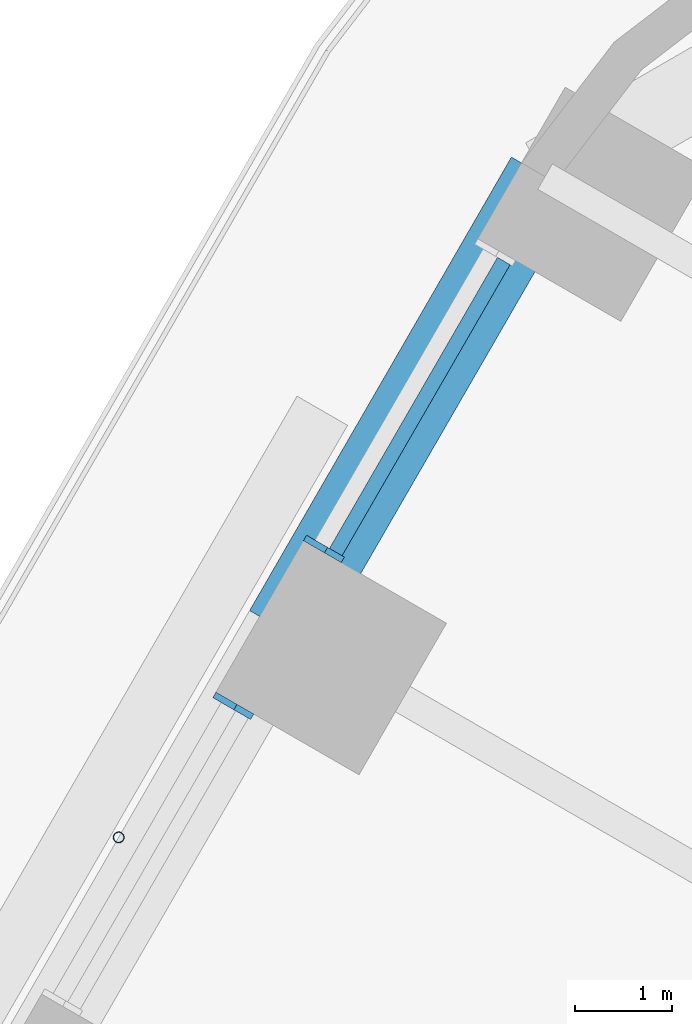
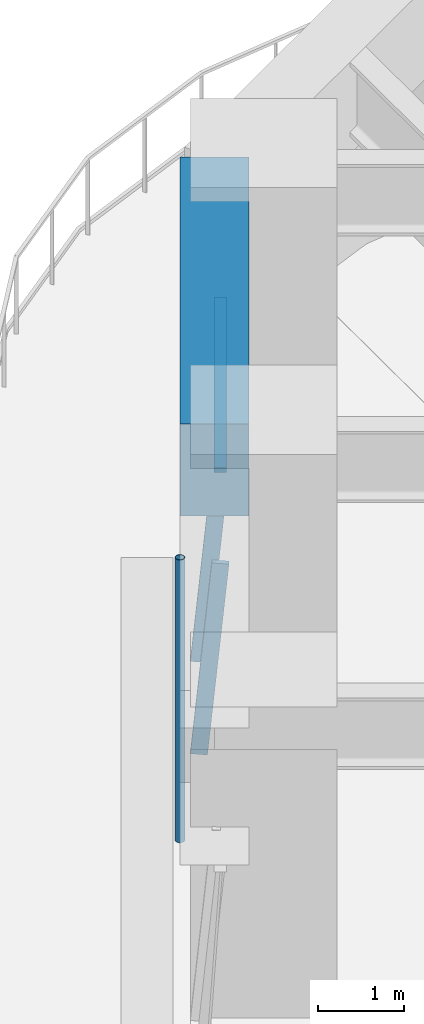
# One storey, part 9 of 23: 4 members, 1 beam, 2 elements without a shape of their own.
"""IFC4 building model written with IfcOpenShell, lengths in metres."""

from ifc_helpers import new_model, si_unit, direction, frame, origin, origin_2d, place, context, subcontext, project, spatial, rectangle, hollow_circle, extrude, material, material_profile, profile_set, type_object, element, aggregate, save


model = new_model("IFC4")

# Units and contexts
model_context = context("Model", 3, precision=1e-05, world=origin(), true_north=direction((0.0, 1.0)))
body_context = subcontext(model_context, "Body", "Model", "MODEL_VIEW")
ifc_project = project(units=[si_unit("LENGTHUNIT", "METRE"), si_unit("AREAUNIT", "SQUARE_METRE"), si_unit("VOLUMEUNIT", "CUBIC_METRE"), si_unit("PLANEANGLEUNIT", "RADIAN"), si_unit("MASSUNIT", "GRAM", prefix="KILO")], contexts=[model_context])

# Site, building, storey
site_placement = place(None, origin())
site = spatial("IfcSite", under=ifc_project, at=site_placement, CompositionType="ELEMENT")
building_placement = place(site_placement, origin())
building = spatial("IfcBuilding", under=site, at=building_placement, Name="Tarfa Lantern Tower", CompositionType="ELEMENT")
storey_placement = place(building_placement, frame((0.0, 0.0, 86.5)))
storey = spatial("IfcBuildingStorey", under=building, at=storey_placement, Name="L19", CompositionType="ELEMENT", Elevation=86.5)

# Curtain wall, member
ifc_material_1 = material(Name="Aluminium framed curtain wall", Category="aluminium")
curtain_wall_type = type_object("IfcCurtainWallType", Name="CW1 CANTED GLAZING LOW ZONE 2700", PredefinedType="USERDEFINED", material=ifc_material_1)
curtain_wall_1_placement = place(storey_placement, origin())
curtain_wall_1 = element("IfcCurtainWall", 1, at=curtain_wall_1_placement, inside=storey, type_object=curtain_wall_type, Name="CW1 NW L19", ObjectType="CURTAIN WALL", PredefinedType="USERDEFINED")
ifc_material_2 = material(Name="Aluminium mullion", Category="aluminium")
ifc_material_profile_1 = material_profile(ifc_material_2, rectangle(XDim=0.06494140625, YDim=0.199951171875, at=origin_2d()), Name="AL MULLION 65x200")
ifc_profile_set_1 = profile_set([ifc_material_profile_1], Name="Aluminium mullion")
member_type_1 = type_object("IfcMemberType", Name="CWM1 MULLION 65x200", PredefinedType="MULLION", material=ifc_profile_set_1)
member_1_placement = place(storey_placement, frame((-23.50341796875, 27.0908203125, 0.0), z_axis=(0.07986442134, -0.046099868913, 0.99573916077), x_axis=(0.499919672301, 0.866071776036, 0.0)))
member_1 = element("IfcMember", 2, at=member_1_placement, type_object=member_type_1, Name="CW1 mullion 2", PredefinedType="MULLION", context=body_context, shape_type="SweptSolid", body=[
    extrude(rectangle(XDim=0.06494140625, YDim=0.199951171875, at=origin_2d()), origin(), (0.0, 0.0, 1.0), 2.71142578125),
])

curtain_wall_2_placement = place(storey_placement, origin())
curtain_wall_2 = element("IfcCurtainWall", 3, at=curtain_wall_2_placement, inside=storey, type_object=curtain_wall_type, Name="CW1 NW L19", ObjectType="CURTAIN WALL", PredefinedType="USERDEFINED")
member_2_placement = place(storey_placement, frame((-24.435791015625, 25.475830078125, 0.0), z_axis=(0.079774955866, -0.04610020023, 0.995746317068), x_axis=(0.500342721131, 0.865827443207, 0.0)))
member_2 = element("IfcMember", 4, at=member_2_placement, type_object=member_type_1, Name="CW1 mullion 1", PredefinedType="MULLION", context=body_context, shape_type="SweptSolid", body=[
    extrude(rectangle(XDim=0.06494140625, YDim=0.199951171875, at=origin_2d()), origin(), (0.0, 0.0, 1.0), 2.71142578125),
])
aggregate(curtain_wall_2, [member_2])

# Member
ifc_material_3 = material(Name="Aluminium transom", Category="aluminium")
ifc_material_profile_2 = material_profile(ifc_material_3, rectangle(XDim=0.14990234375, YDim=0.06494140625, at=origin_2d()), Name="AL TRANSOM 150x65")
ifc_profile_set_2 = profile_set([ifc_material_profile_2], Name="Aluminium transom")
member_type_2 = type_object("IfcMemberType", Name="CWT1 TRANSOM 150x65", PredefinedType="USERDEFINED", material=ifc_profile_set_2)
member_3_placement = place(storey_placement, frame((-21.5439453125, 29.99072265625, 2.66748046875), z_axis=(-0.500003541824, -0.866023358902, 0.0), x_axis=(0.866023358902, -0.500003541824, 0.0)))
member_3 = element("IfcMember", 5, at=member_3_placement, type_object=member_type_2, Name="CW1 transom 1.2", ObjectType="TRANSOM", PredefinedType="USERDEFINED", context=body_context, shape_type="SweptSolid", body=[
    extrude(rectangle(XDim=0.14990234375, YDim=0.06494140625, at=origin_2d()), origin(), (0.0, 0.0, 1.0), 3.45849609375),
])

aggregate(curtain_wall_1, [member_1, member_3])

# Beam
ifc_material_4 = material(Name="Concrete C80/95", Category="concrete")
ifc_material_profile_3 = material_profile(ifc_material_4, rectangle(XDim=0.800048828125, YDim=1.300048828125, at=origin_2d()), Name="RC 800x1300")
ifc_profile_set_3 = profile_set([ifc_material_profile_3], Name="Concrete C80/95")
beam_type = type_object("IfcBeamType", Name="EB1 RC 800x1300", PredefinedType="SPANDREL", material=ifc_profile_set_3)
beam_placement = place(storey_placement, frame((-21.119384765625, 30.860107421875, 3.35009765625), z_axis=(-0.499998287579, -0.866026392449, 0.0), x_axis=(0.866026392449, -0.499998287579, 0.0)))
element("IfcBeam", 6, at=beam_placement, inside=storey, type_object=beam_type, Name="Edge beam NW0", PredefinedType="SPANDREL", context=body_context, shape_type="SweptSolid", body=[
    extrude(rectangle(XDim=0.800048828125, YDim=1.300048828125, at=origin_2d()), origin(), (0.0, 0.0, 1.0), 5.388671875),
])

# Member
ifc_material_5 = material(Name="Steel S355", Category="steel")
ifc_material_profile_4 = material_profile(ifc_material_5, hollow_circle(Radius=0.05712890625, WallThickness=0.00634765625, at=origin_2d()), Name="CHS114.3x6.3")
ifc_profile_set_4 = profile_set([ifc_material_profile_4], Name="Steel S355")
member_type_3 = type_object("IfcMemberType", Name="TR1 GREEN WALL TRELLIS CHS114.3x6.3", PredefinedType="USERDEFINED", material=ifc_profile_set_4)
member_4_placement = place(storey_placement, frame((-25.50732421875, 24.06005859375, 0.0), z_axis=(0.0, 0.0, 1.0), x_axis=(1.0, 0.0, 0.0)))
element("IfcMember", 7, at=member_4_placement, inside=storey, type_object=member_type_3, Name="Trellis post NW 1", ObjectType="TRELLIS", PredefinedType="USERDEFINED", context=body_context, shape_type="SweptSolid", body=[
    extrude(hollow_circle(Radius=0.05712890625, WallThickness=0.00634765625, at=origin_2d()), origin(), (0.0, 0.0, 1.0), 4.0),
])

save(model, "model.ifc")
